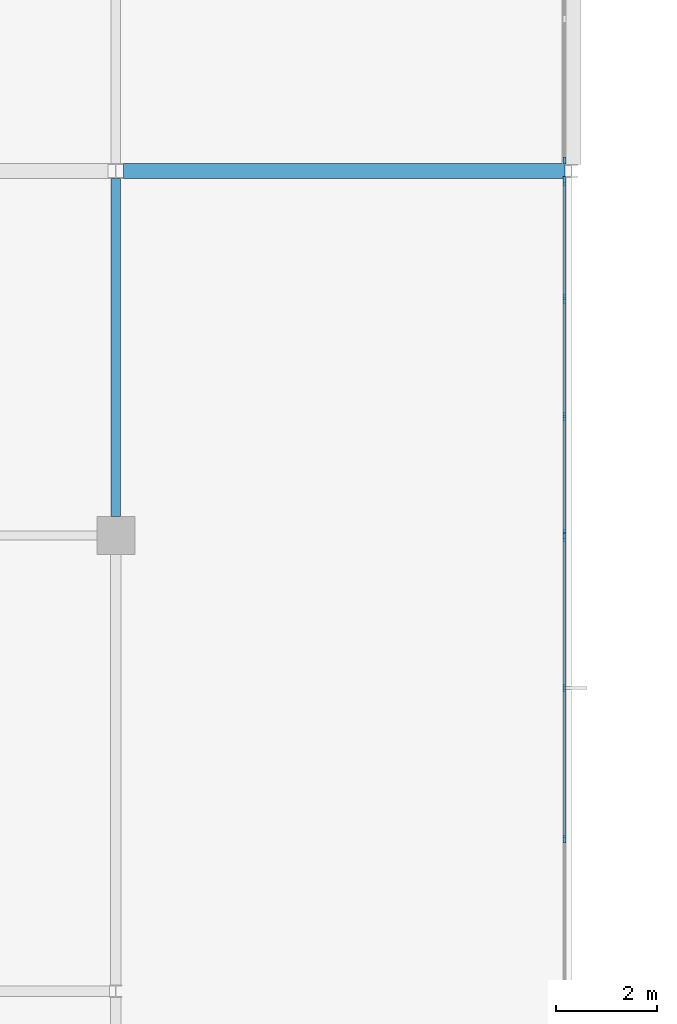
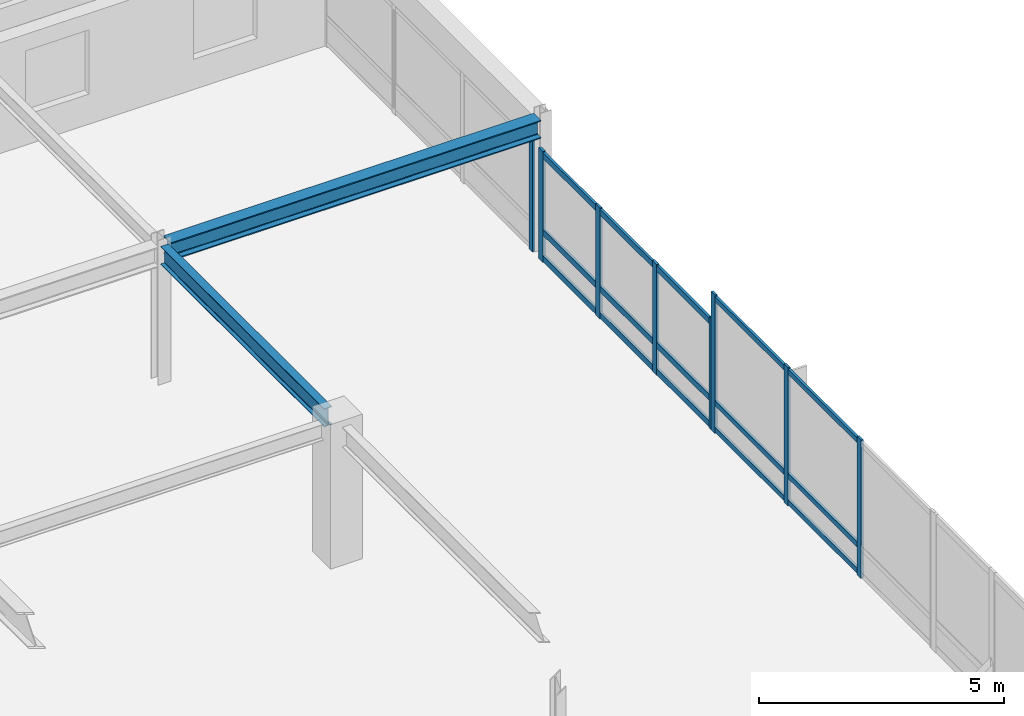
# One storey, part 19 of 74: 23 members, 2 beams, 3 elements without a shape of their own.
"""IFC4 building model written with IfcOpenShell, lengths in metres."""

from ifc_helpers import new_model, si_unit, direction, frame, origin, origin_2d, place, context, subcontext, project, spatial, rectangle, i_section, extrude, material, material_profile, profile_set, type_object, element, aggregate, save


model = new_model("IFC4")

# Units and contexts
model_context = context("Model", 3, precision=1e-05, world=origin(), true_north=direction((0.0, 1.0)))
body_context = subcontext(model_context, "Body", "Model", "MODEL_VIEW")
ifc_project = project(units=[si_unit("LENGTHUNIT", "METRE"), si_unit("AREAUNIT", "SQUARE_METRE"), si_unit("VOLUMEUNIT", "CUBIC_METRE"), si_unit("PLANEANGLEUNIT", "RADIAN"), si_unit("MASSUNIT", "GRAM", prefix="KILO")], contexts=[model_context])

# Site, building, storey
site_placement = place(None, origin())
site = spatial("IfcSite", under=ifc_project, at=site_placement, CompositionType="ELEMENT")
building_placement = place(site_placement, origin())
building = spatial("IfcBuilding", under=site, at=building_placement, Name="Clarverna Civic Hall", CompositionType="ELEMENT")
storey_placement = place(building_placement, frame((0.0, 0.0, 13.199951171875)))
storey = spatial("IfcBuildingStorey", under=building, at=storey_placement, Name="L03", CompositionType="ELEMENT", Elevation=13.199951171875)

# Beams
ifc_material_1 = material(Name="Steel S355", Category="steel")
ifc_material_profile_1 = material_profile(ifc_material_1, i_section(OverallWidth=0.18994140625, OverallDepth=0.449951171875, WebThickness=0.009521484375, FlangeThickness=0.0146484375, FilletRadius=0.02099609375, at=origin_2d()), Name="IPE 450")
ifc_profile_set_1 = profile_set([ifc_material_profile_1], Name="Steel S355")
beam_type_1 = type_object("IfcBeamType", Name="B-ST13", PredefinedType="BEAM", material=ifc_profile_set_1)
beam_1_placement = place(storey_placement, frame((16.199951171875, 39.574951171875, 3.215087890625), z_axis=(0.0, 1.0, 0.0), x_axis=(-1.0, 0.0, 0.0)))
element("IfcBeam", 1, at=beam_1_placement, inside=storey, type_object=beam_type_1, Name="B-ST13-016", PredefinedType="BEAM", context=body_context, shape_type="SweptSolid", body=[
    extrude(i_section(OverallWidth=0.18994140625, OverallDepth=0.449951171875, WebThickness=0.009521484375, FlangeThickness=0.0146484375, FilletRadius=0.02099609375, at=origin_2d()), origin(), (0.0, 0.0, 1.0), 6.675048828125),
])
ifc_material_profile_2 = material_profile(ifc_material_1, i_section(OverallWidth=0.300048828125, OverallDepth=0.449951171875, WebThickness=0.013916015625, FlangeThickness=0.02587890625, FilletRadius=0.027099609375, at=origin_2d()), Name="HEB 450")
ifc_profile_set_2 = profile_set([ifc_material_profile_2], Name="Steel S355")
beam_type_2 = type_object("IfcBeamType", Name="B-ST3", PredefinedType="BEAM", material=ifc_profile_set_2)
beam_2_placement = place(storey_placement, frame((16.35009765625, 46.39990234375, 3.215087890625), z_axis=(1.0, 0.0, 0.0), x_axis=(0.0, 1.0, 0.0)))
element("IfcBeam", 2, at=beam_2_placement, inside=storey, type_object=beam_type_2, Name="B-ST3-011", PredefinedType="BEAM", context=body_context, shape_type="SweptSolid", body=[
    extrude(i_section(OverallWidth=0.300048828125, OverallDepth=0.449951171875, WebThickness=0.013916015625, FlangeThickness=0.02587890625, FilletRadius=0.027099609375, at=origin_2d()), origin(), (0.0, 0.0, 1.0), 8.719970703125),
])

# Curtain wall, members
ifc_material_2 = material(Name="Anodised Bronze Architectural Aluminium", Category="aluminium")
curtain_wall_type = type_object("IfcCurtainWallType", Name="CW-05", PredefinedType="USERDEFINED", material=ifc_material_2)
curtain_wall_1_placement = place(storey_placement, origin())
curtain_wall_1 = element("IfcCurtainWall", 3, at=curtain_wall_1_placement, inside=storey, type_object=curtain_wall_type, Name="CW-05-017", ObjectType="UNITISED CURTAIN WALL", PredefinedType="USERDEFINED")
ifc_material_profile_3 = material_profile(ifc_material_2, rectangle(XDim=0.06005859375, YDim=0.179931640625, at=origin_2d()), Name="BRONZE 60x180")
ifc_profile_set_3 = profile_set([ifc_material_profile_3], Name="Anodised Bronze Architectural Aluminium")
member_type_1 = type_object("IfcMemberType", Name="CWM-01", PredefinedType="MULLION", material=ifc_profile_set_3)
member_1_placement = place(storey_placement, frame((25.06005859375, 46.197021484375, 0.0), z_axis=(0.0, 0.0, 1.0), x_axis=(1.0, 0.0, 0.0)))
member_1 = element("IfcMember", 4, at=member_1_placement, type_object=member_type_1, Name="CWM-01-144", PredefinedType="MULLION", context=body_context, shape_type="SweptSolid", body=[
    extrude(rectangle(XDim=0.06005859375, YDim=0.179931640625, at=origin_2d()), origin(), (0.0, 0.0, 1.0), 2.760009765625),
])
member_2_placement = place(storey_placement, frame((25.06005859375, 43.875732421875, 0.0), z_axis=(0.0, 0.0, 1.0), x_axis=(1.0, 0.0, 0.0)))
member_2 = element("IfcMember", 5, at=member_2_placement, type_object=member_type_1, Name="CWM-01-145", PredefinedType="MULLION", context=body_context, shape_type="SweptSolid", body=[
    extrude(rectangle(XDim=0.06005859375, YDim=0.179931640625, at=origin_2d()), origin(), (0.0, 0.0, 1.0), 2.760009765625),
])
member_3_placement = place(storey_placement, frame((25.06005859375, 41.55419921875, 0.0), z_axis=(0.0, 0.0, 1.0), x_axis=(1.0, 0.0, 0.0)))
member_3 = element("IfcMember", 6, at=member_3_placement, type_object=member_type_1, Name="CWM-01-146", PredefinedType="MULLION", context=body_context, shape_type="SweptSolid", body=[
    extrude(rectangle(XDim=0.06005859375, YDim=0.179931640625, at=origin_2d()), origin(), (0.0, 0.0, 1.0), 2.760009765625),
])
member_4_placement = place(storey_placement, frame((25.06005859375, 39.23291015625, 0.0), z_axis=(0.0, 0.0, 1.0), x_axis=(1.0, 0.0, 0.0)))
member_4 = element("IfcMember", 7, at=member_4_placement, type_object=member_type_1, Name="CWM-01-147", PredefinedType="MULLION", context=body_context, shape_type="SweptSolid", body=[
    extrude(rectangle(XDim=0.06005859375, YDim=0.179931640625, at=origin_2d()), origin(), (0.0, 0.0, 1.0), 2.760009765625),
])

curtain_wall_2_placement = place(storey_placement, origin())
curtain_wall_2 = element("IfcCurtainWall", 8, at=curtain_wall_2_placement, inside=storey, type_object=curtain_wall_type, Name="CW-05-018", ObjectType="UNITISED CURTAIN WALL", PredefinedType="USERDEFINED")
ifc_material_profile_4 = material_profile(ifc_material_2, rectangle(XDim=0.06005859375, YDim=0.159912109375, at=origin_2d()), Name="BRONZE 60x160")
ifc_profile_set_4 = profile_set([ifc_material_profile_4], Name="Anodised Bronze Architectural Aluminium")
member_type_2 = type_object("IfcMemberType", Name="CWM-02", PredefinedType="MULLION", material=ifc_profile_set_4)
member_5_placement = place(storey_placement, frame((25.06005859375, 39.1669921875, 0.0), z_axis=(0.0, 0.0, 1.0), x_axis=(1.0, 0.0, 0.0)))
member_5 = element("IfcMember", 9, at=member_5_placement, type_object=member_type_2, Name="CWM-02-184", PredefinedType="MULLION", context=body_context, shape_type="SweptSolid", body=[
    extrude(rectangle(XDim=0.06005859375, YDim=0.159912109375, at=origin_2d()), origin(), (0.0, 0.0, 1.0), 3.43994140625),
])
member_6_placement = place(storey_placement, frame((25.06005859375, 36.18896484375, 0.0), z_axis=(0.0, 0.0, 1.0), x_axis=(1.0, 0.0, 0.0)))
member_6 = element("IfcMember", 10, at=member_6_placement, type_object=member_type_2, Name="CWM-02-185", PredefinedType="MULLION", context=body_context, shape_type="SweptSolid", body=[
    extrude(rectangle(XDim=0.06005859375, YDim=0.159912109375, at=origin_2d()), origin(), (0.0, 0.0, 1.0), 3.43994140625),
])
member_7_placement = place(storey_placement, frame((25.06005859375, 33.2109375, 0.0), z_axis=(0.0, 0.0, 1.0), x_axis=(1.0, 0.0, 0.0)))
member_7 = element("IfcMember", 11, at=member_7_placement, type_object=member_type_2, Name="CWM-02-186", PredefinedType="MULLION", context=body_context, shape_type="SweptSolid", body=[
    extrude(rectangle(XDim=0.06005859375, YDim=0.159912109375, at=origin_2d()), origin(), (0.0, 0.0, 1.0), 3.43994140625),
])

# Curtain wall, member
curtain_wall_3_placement = place(storey_placement, origin())
curtain_wall_3 = element("IfcCurtainWall", 12, at=curtain_wall_3_placement, inside=storey, type_object=curtain_wall_type, Name="CW-05-016", ObjectType="UNITISED CURTAIN WALL", PredefinedType="USERDEFINED")
ifc_material_profile_5 = material_profile(ifc_material_2, rectangle(XDim=0.054931640625, YDim=0.139892578125, at=origin_2d()), Name="BRONZE 55x140")
ifc_profile_set_5 = profile_set([ifc_material_profile_5], Name="Anodised Bronze Architectural Aluminium")
member_type_3 = type_object("IfcMemberType", Name="CWM-04", PredefinedType="MULLION", material=ifc_profile_set_5)
member_8_placement = place(storey_placement, frame((25.06005859375, 46.60302734375, 0.0), z_axis=(0.0, 0.0, 1.0), x_axis=(1.0, 0.0, 0.0)))
member_8 = element("IfcMember", 13, at=member_8_placement, type_object=member_type_3, Name="CWM-04-187", PredefinedType="MULLION", context=body_context, shape_type="SweptSolid", body=[
    extrude(rectangle(XDim=0.054931640625, YDim=0.139892578125, at=origin_2d()), origin(), (0.0, 0.0, 1.0), 2.760009765625),
])
aggregate(curtain_wall_3, [member_8])

# Member
ifc_material_profile_6 = material_profile(ifc_material_2, rectangle(XDim=0.06005859375, YDim=0.14990234375, at=origin_2d()), Name="BRONZE 60x150")
ifc_profile_set_6 = profile_set([ifc_material_profile_6], Name="Anodised Bronze Architectural Aluminium")
member_type_4 = type_object("IfcMemberType", Name="CWT-01", PredefinedType="USERDEFINED", material=ifc_profile_set_6)
member_9_placement = place(storey_placement, frame((25.06005859375, 46.181884765625, 0.094970703125), z_axis=(0.0, -1.0, 0.0), x_axis=(1.0, 0.0, 0.0)))
member_9 = element("IfcMember", 14, at=member_9_placement, type_object=member_type_4, Name="CWT-01-307", ObjectType="TRANSOM", PredefinedType="USERDEFINED", context=body_context, shape_type="SweptSolid", body=[
    extrude(rectangle(XDim=0.06005859375, YDim=0.14990234375, at=origin_2d()), origin(), (0.0, 0.0, 1.0), 2.291259765625),
])

member_10_placement = place(storey_placement, frame((25.06005859375, 46.181884765625, 0.75), z_axis=(0.0, -1.0, 0.0), x_axis=(1.0, 0.0, 0.0)))
member_10 = element("IfcMember", 15, at=member_10_placement, type_object=member_type_4, Name="CWT-01-308", ObjectType="TRANSOM", PredefinedType="USERDEFINED", context=body_context, shape_type="SweptSolid", body=[
    extrude(rectangle(XDim=0.06005859375, YDim=0.14990234375, at=origin_2d()), origin(), (0.0, 0.0, 1.0), 2.291259765625),
])

member_11_placement = place(storey_placement, frame((25.06005859375, 46.181884765625, 2.6650390625), z_axis=(0.0, -1.0, 0.0), x_axis=(1.0, 0.0, 0.0)))
member_11 = element("IfcMember", 16, at=member_11_placement, type_object=member_type_4, Name="CWT-01-309", ObjectType="TRANSOM", PredefinedType="USERDEFINED", context=body_context, shape_type="SweptSolid", body=[
    extrude(rectangle(XDim=0.06005859375, YDim=0.14990234375, at=origin_2d()), origin(), (0.0, 0.0, 1.0), 2.291259765625),
])

member_12_placement = place(storey_placement, frame((25.06005859375, 43.860595703125, 0.094970703125), z_axis=(0.0, -1.0, 0.0), x_axis=(1.0, 0.0, 0.0)))
member_12 = element("IfcMember", 17, at=member_12_placement, type_object=member_type_4, Name="CWT-01-310", ObjectType="TRANSOM", PredefinedType="USERDEFINED", context=body_context, shape_type="SweptSolid", body=[
    extrude(rectangle(XDim=0.06005859375, YDim=0.14990234375, at=origin_2d()), origin(), (0.0, 0.0, 1.0), 2.291259765625),
])

member_13_placement = place(storey_placement, frame((25.06005859375, 43.860595703125, 0.75), z_axis=(0.0, -1.0, 0.0), x_axis=(1.0, 0.0, 0.0)))
member_13 = element("IfcMember", 18, at=member_13_placement, type_object=member_type_4, Name="CWT-01-311", ObjectType="TRANSOM", PredefinedType="USERDEFINED", context=body_context, shape_type="SweptSolid", body=[
    extrude(rectangle(XDim=0.06005859375, YDim=0.14990234375, at=origin_2d()), origin(), (0.0, 0.0, 1.0), 2.291259765625),
])

member_14_placement = place(storey_placement, frame((25.06005859375, 43.860595703125, 2.6650390625), z_axis=(0.0, -1.0, 0.0), x_axis=(1.0, 0.0, 0.0)))
member_14 = element("IfcMember", 19, at=member_14_placement, type_object=member_type_4, Name="CWT-01-312", ObjectType="TRANSOM", PredefinedType="USERDEFINED", context=body_context, shape_type="SweptSolid", body=[
    extrude(rectangle(XDim=0.06005859375, YDim=0.14990234375, at=origin_2d()), origin(), (0.0, 0.0, 1.0), 2.291259765625),
])

member_15_placement = place(storey_placement, frame((25.06005859375, 41.539306640625, 0.094970703125), z_axis=(0.0, -1.0, 0.0), x_axis=(1.0, 0.0, 0.0)))
member_15 = element("IfcMember", 20, at=member_15_placement, type_object=member_type_4, Name="CWT-01-313", ObjectType="TRANSOM", PredefinedType="USERDEFINED", context=body_context, shape_type="SweptSolid", body=[
    extrude(rectangle(XDim=0.06005859375, YDim=0.14990234375, at=origin_2d()), origin(), (0.0, 0.0, 1.0), 2.291259765625),
])

member_16_placement = place(storey_placement, frame((25.06005859375, 41.539306640625, 0.75), z_axis=(0.0, -1.0, 0.0), x_axis=(1.0, 0.0, 0.0)))
member_16 = element("IfcMember", 21, at=member_16_placement, type_object=member_type_4, Name="CWT-01-314", ObjectType="TRANSOM", PredefinedType="USERDEFINED", context=body_context, shape_type="SweptSolid", body=[
    extrude(rectangle(XDim=0.06005859375, YDim=0.14990234375, at=origin_2d()), origin(), (0.0, 0.0, 1.0), 2.291259765625),
])

member_17_placement = place(storey_placement, frame((25.06005859375, 41.539306640625, 2.6650390625), z_axis=(0.0, -1.0, 0.0), x_axis=(1.0, 0.0, 0.0)))
member_17 = element("IfcMember", 22, at=member_17_placement, type_object=member_type_4, Name="CWT-01-315", ObjectType="TRANSOM", PredefinedType="USERDEFINED", context=body_context, shape_type="SweptSolid", body=[
    extrude(rectangle(XDim=0.06005859375, YDim=0.14990234375, at=origin_2d()), origin(), (0.0, 0.0, 1.0), 2.291259765625),
])

aggregate(curtain_wall_1, [member_1, member_2, member_3, member_4, member_9, member_10, member_11, member_12, member_13, member_14, member_15, member_16, member_17])

ifc_material_profile_7 = material_profile(ifc_material_2, rectangle(XDim=0.06005859375, YDim=0.1298828125, at=origin_2d()), Name="BRONZE 60x130")
ifc_profile_set_7 = profile_set([ifc_material_profile_7], Name="Anodised Bronze Architectural Aluminium")
member_type_5 = type_object("IfcMemberType", Name="CWT-02", PredefinedType="USERDEFINED", material=ifc_profile_set_7)
member_18_placement = place(storey_placement, frame((25.06005859375, 39.152099609375, 0.094970703125), z_axis=(0.0, -1.0, 0.0), x_axis=(1.0, 0.0, 0.0)))
member_18 = element("IfcMember", 23, at=member_18_placement, type_object=member_type_5, Name="CWT-02-388", ObjectType="TRANSOM", PredefinedType="USERDEFINED", context=body_context, shape_type="SweptSolid", body=[
    extrude(rectangle(XDim=0.06005859375, YDim=0.1298828125, at=origin_2d()), origin(), (0.0, 0.0, 1.0), 2.947998046875),
])

member_19_placement = place(storey_placement, frame((25.06005859375, 39.152099609375, 0.75), z_axis=(0.0, -1.0, 0.0), x_axis=(1.0, 0.0, 0.0)))
member_19 = element("IfcMember", 24, at=member_19_placement, type_object=member_type_5, Name="CWT-02-389", ObjectType="TRANSOM", PredefinedType="USERDEFINED", context=body_context, shape_type="SweptSolid", body=[
    extrude(rectangle(XDim=0.06005859375, YDim=0.1298828125, at=origin_2d()), origin(), (0.0, 0.0, 1.0), 2.947998046875),
])

member_20_placement = place(storey_placement, frame((25.06005859375, 39.152099609375, 3.344970703125), z_axis=(0.0, -1.0, 0.0), x_axis=(1.0, 0.0, 0.0)))
member_20 = element("IfcMember", 25, at=member_20_placement, type_object=member_type_5, Name="CWT-02-390", ObjectType="TRANSOM", PredefinedType="USERDEFINED", context=body_context, shape_type="SweptSolid", body=[
    extrude(rectangle(XDim=0.06005859375, YDim=0.1298828125, at=origin_2d()), origin(), (0.0, 0.0, 1.0), 2.947998046875),
])

member_21_placement = place(storey_placement, frame((25.06005859375, 36.174072265625, 0.094970703125), z_axis=(0.0, -1.0, 0.0), x_axis=(1.0, 0.0, 0.0)))
member_21 = element("IfcMember", 26, at=member_21_placement, type_object=member_type_5, Name="CWT-02-391", ObjectType="TRANSOM", PredefinedType="USERDEFINED", context=body_context, shape_type="SweptSolid", body=[
    extrude(rectangle(XDim=0.06005859375, YDim=0.1298828125, at=origin_2d()), origin(), (0.0, 0.0, 1.0), 2.947998046875),
])

member_22_placement = place(storey_placement, frame((25.06005859375, 36.174072265625, 0.75), z_axis=(0.0, -1.0, 0.0), x_axis=(1.0, 0.0, 0.0)))
member_22 = element("IfcMember", 27, at=member_22_placement, type_object=member_type_5, Name="CWT-02-392", ObjectType="TRANSOM", PredefinedType="USERDEFINED", context=body_context, shape_type="SweptSolid", body=[
    extrude(rectangle(XDim=0.06005859375, YDim=0.1298828125, at=origin_2d()), origin(), (0.0, 0.0, 1.0), 2.947998046875),
])

member_23_placement = place(storey_placement, frame((25.06005859375, 36.174072265625, 3.344970703125), z_axis=(0.0, -1.0, 0.0), x_axis=(1.0, 0.0, 0.0)))
member_23 = element("IfcMember", 28, at=member_23_placement, type_object=member_type_5, Name="CWT-02-393", ObjectType="TRANSOM", PredefinedType="USERDEFINED", context=body_context, shape_type="SweptSolid", body=[
    extrude(rectangle(XDim=0.06005859375, YDim=0.1298828125, at=origin_2d()), origin(), (0.0, 0.0, 1.0), 2.947998046875),
])

aggregate(curtain_wall_2, [member_5, member_6, member_7, member_18, member_19, member_20, member_21, member_22, member_23])

save(model, "model.ifc")
